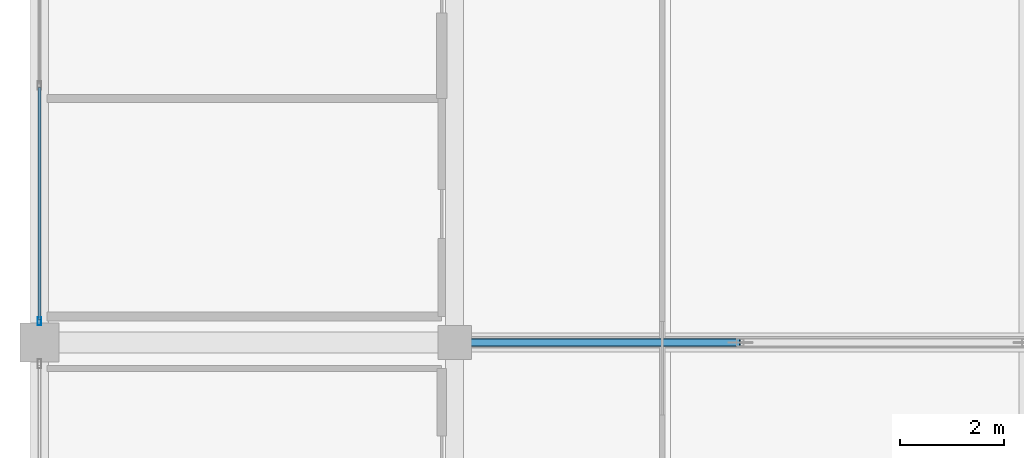
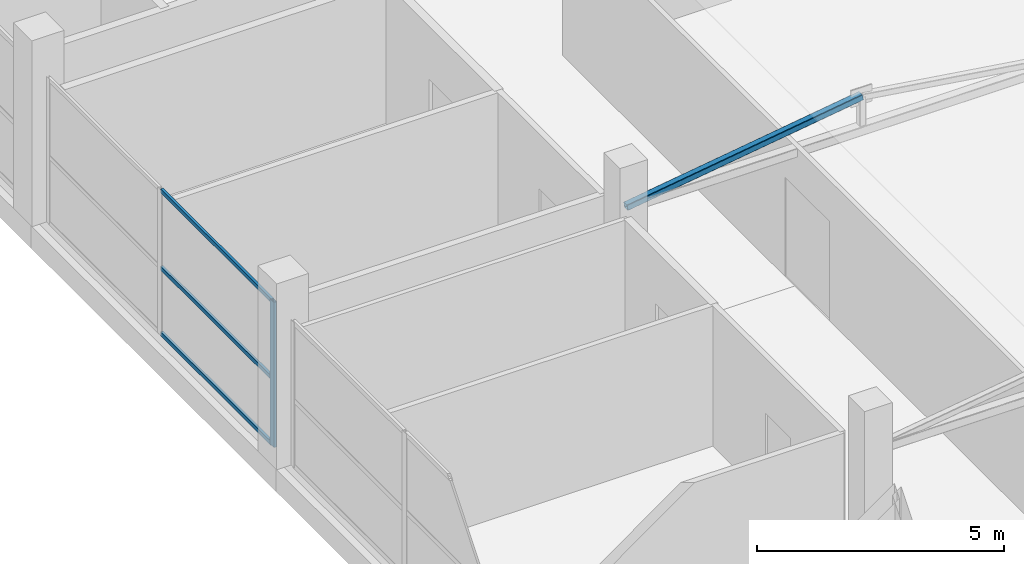
# One storey, part 21 of 69: 5 members, 1 element without a shape of its own.
"""IFC4 building model written with IfcOpenShell, lengths in metres."""

from ifc_helpers import new_model, si_unit, direction, frame, origin, origin_2d, place, context, subcontext, project, spatial, hollow_rectangle, extrude, material, layer, layer_set, material_profile, profile_set, type_object, element, aggregate, save


model = new_model("IFC4")

# Units and contexts
model_context = context("Model", 3, precision=1e-05, world=origin(), true_north=direction((0.0, 1.0)))
body_context = subcontext(model_context, "Body", "Model", "MODEL_VIEW")
ifc_project = project(units=[si_unit("LENGTHUNIT", "METRE"), si_unit("AREAUNIT", "SQUARE_METRE"), si_unit("VOLUMEUNIT", "CUBIC_METRE"), si_unit("PLANEANGLEUNIT", "RADIAN"), si_unit("MASSUNIT", "GRAM", prefix="KILO")], contexts=[model_context])

# Site, building, storey
site_placement = place(None, origin())
site = spatial("IfcSite", under=ifc_project, at=site_placement, CompositionType="ELEMENT")
building_placement = place(site_placement, origin())
building = spatial("IfcBuilding", under=site, at=building_placement, Name="Sillaruma Civic Art Gallery", CompositionType="ELEMENT")
storey_placement = place(building_placement, frame((0.0, 0.0, 42.330078125)))
storey = spatial("IfcBuildingStorey", under=building, at=storey_placement, Name="L08", CompositionType="ELEMENT", Elevation=42.330078125)

# Member
ifc_material_1 = material(Name="Structural Steel ASTM A500 Gr.C", Category="steel")
ifc_material_profile_1 = material_profile(ifc_material_1, hollow_rectangle(XDim=0.14990234375, YDim=0.14990234375, WallThickness=0.010009765625, InnerFilletRadius=0.010009765625, OuterFilletRadius=0.02001953125, at=origin_2d()), Name="HSS150x150x10")
ifc_profile_set_1 = profile_set([ifc_material_profile_1], Name="Structural Steel ASTM A500 Gr.C")
member_type_1 = type_object("IfcMemberType", Name="MEM-BRACE-HSS150x150x10", PredefinedType="BRACE", material=ifc_profile_set_1)
member_1_placement = place(storey_placement, frame((70.0, 59.39990234375, 3.349853515625), z_axis=(0.989377720719, 0.0, 0.145367553959), x_axis=(0.0, 1.0, 0.0)))
element("IfcMember", 1, at=member_1_placement, inside=storey, type_object=member_type_1, Name="Warren Truss Diagonal TR-L08-2-D1", PredefinedType="BRACE", context=body_context, shape_type="SweptSolid", body=[
    extrude(hollow_rectangle(XDim=0.14990234375, YDim=0.14990234375, WallThickness=0.010009765625, InnerFilletRadius=0.010009765625, OuterFilletRadius=0.02001953125, at=origin_2d()), origin(), (0.0, 0.0, 1.0), 5.55908203125),
])

# Curtain wall, members
ifc_material_2 = material(Name="Thermally Broken Extruded Aluminium 6063-T6", Category="aluminium")
ifc_layer = layer(ifc_material_2, 0.159912109375, Name="Thermally Broken Extruded Aluminium 6063-T6")
ifc_layer_set = layer_set([ifc_layer], Name="Thermally Broken Extruded Aluminium 6063-T6")
curtain_wall_type = type_object("IfcCurtainWallType", Name="CW-UNI-29", PredefinedType="NOTDEFINED", material=ifc_layer_set)
curtain_wall_placement = place(storey_placement, origin())
curtain_wall = element("IfcCurtainWall", 2, at=curtain_wall_placement, inside=storey, type_object=curtain_wall_type, Name="Unitised Curtain Wall CW-29 (CW-L08-WBW-5)", PredefinedType="NOTDEFINED")
ifc_material_profile_2 = material_profile(ifc_material_2, hollow_rectangle(XDim=0.06494140625, YDim=0.159912109375, WallThickness=0.00390625, at=origin_2d()), Name="CWM65x160")
ifc_profile_set_2 = profile_set([ifc_material_profile_2], Name="Thermally Broken Extruded Aluminium 6063-T6")
member_type_2 = type_object("IfcMemberType", Name="MEM-MUL-CWM65x160", PredefinedType="MULLION", material=ifc_profile_set_2)
member_2_placement = place(storey_placement, frame((62.0, 59.8076171875, 0.0), z_axis=(0.0, 0.0, 1.0), x_axis=(-1.0, 0.0, 0.0)))
member_2 = element("IfcMember", 3, at=member_2_placement, type_object=member_type_2, Name="CW-29 mullion 1", PredefinedType="MULLION", context=body_context, shape_type="SweptSolid", body=[
    extrude(hollow_rectangle(XDim=0.06494140625, YDim=0.159912109375, WallThickness=0.00390625, at=origin_2d()), origin(), (0.0, 0.0, 1.0), 3.58984375),
])
ifc_material_profile_3 = material_profile(ifc_material_2, hollow_rectangle(XDim=0.06005859375, YDim=0.10009765625, WallThickness=0.003173828125, at=origin_2d()), Name="CWT60x100")
ifc_profile_set_3 = profile_set([ifc_material_profile_3], Name="Thermally Broken Extruded Aluminium 6063-T6")
member_type_3 = type_object("IfcMemberType", Name="MEM-TRN-CWT60x100", PredefinedType="USERDEFINED", material=ifc_profile_set_3)
member_3_placement = place(storey_placement, frame((62.0, 59.840087890625, 0.030029296875), z_axis=(0.0, 1.0, 0.0), x_axis=(-1.0, 0.0, 0.0)))
member_3 = element("IfcMember", 4, at=member_3_placement, type_object=member_type_3, Name="CW-29 transom 1.1", ObjectType="TRANSOM", PredefinedType="USERDEFINED", context=body_context, shape_type="SweptSolid", body=[
    extrude(hollow_rectangle(XDim=0.06005859375, YDim=0.10009765625, WallThickness=0.003173828125, at=origin_2d()), origin(), (0.0, 0.0, 1.0), 4.477294921875),
])
member_4_placement = place(storey_placement, frame((62.0, 59.840087890625, 1.6513671875), z_axis=(0.0, 1.0, 0.0), x_axis=(-1.0, 0.0, 0.0)))
member_4 = element("IfcMember", 5, at=member_4_placement, type_object=member_type_3, Name="CW-29 transom 1.2", ObjectType="TRANSOM", PredefinedType="USERDEFINED", context=body_context, shape_type="SweptSolid", body=[
    extrude(hollow_rectangle(XDim=0.06005859375, YDim=0.10009765625, WallThickness=0.003173828125, at=origin_2d()), origin(), (0.0, 0.0, 1.0), 4.477294921875),
])
member_5_placement = place(storey_placement, frame((62.0, 59.840087890625, 3.559814453125), z_axis=(0.0, 1.0, 0.0), x_axis=(-1.0, 0.0, 0.0)))
member_5 = element("IfcMember", 6, at=member_5_placement, type_object=member_type_3, Name="CW-29 transom 1.3", ObjectType="TRANSOM", PredefinedType="USERDEFINED", context=body_context, shape_type="SweptSolid", body=[
    extrude(hollow_rectangle(XDim=0.06005859375, YDim=0.10009765625, WallThickness=0.003173828125, at=origin_2d()), origin(), (0.0, 0.0, 1.0), 4.477294921875),
])
aggregate(curtain_wall, [member_2, member_3, member_4, member_5])

save(model, "model.ifc")
